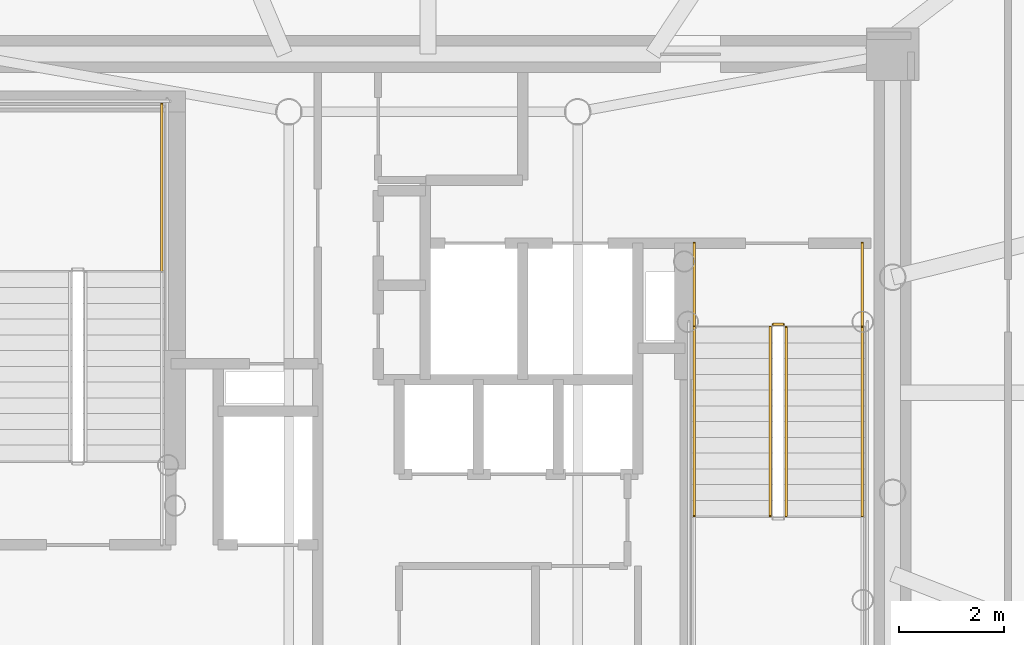
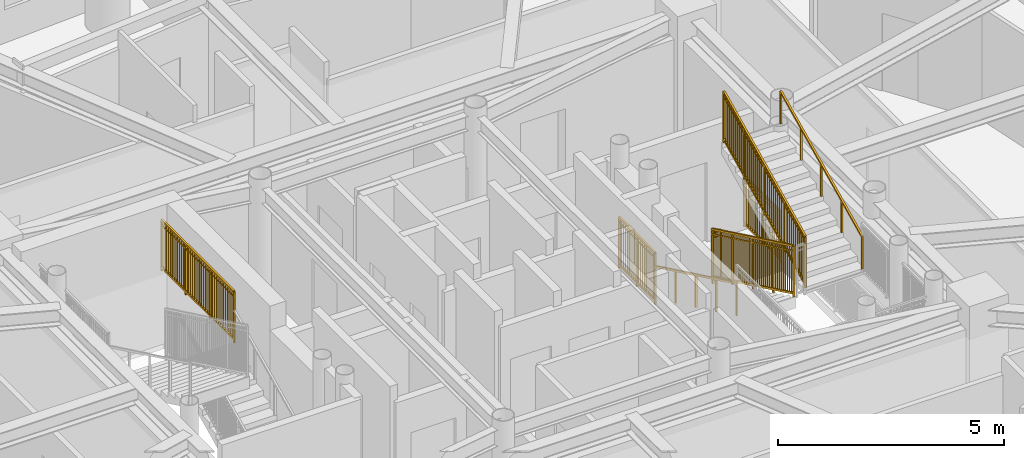
# One storey, part 16 of 17: 8 railings.
"""IFC4 building model written with IfcOpenShell, lengths in metres."""

from ifc_helpers import new_model, si_unit, direction, frame, origin, origin_2d, place, context, subcontext, project, spatial, rectangle, extrude, source, transform, mapped, material, type_object, element, save


model = new_model("IFC4")

# Units and contexts
model_context = context("Model", 3, precision=1e-05, world=origin(), true_north=direction((0.0, 1.0)))
body_context = subcontext(model_context, "Body", "Model", "MODEL_VIEW")
ifc_project = project(units=[si_unit("LENGTHUNIT", "METRE"), si_unit("AREAUNIT", "SQUARE_METRE"), si_unit("VOLUMEUNIT", "CUBIC_METRE"), si_unit("PLANEANGLEUNIT", "RADIAN"), si_unit("MASSUNIT", "GRAM", prefix="KILO")], contexts=[model_context])

# Site, building, storey
site_placement = place(None, origin())
site = spatial("IfcSite", under=ifc_project, at=site_placement, CompositionType="ELEMENT")
building_placement = place(site_placement, origin())
building = spatial("IfcBuilding", under=site, at=building_placement, Name="Linh Dai School and Residence Tower", CompositionType="ELEMENT")
storey_placement = place(building_placement, frame((0.0, 0.0, 310.5)))
storey = spatial("IfcBuildingStorey", under=building, at=storey_placement, Name="L77", CompositionType="ELEMENT", Elevation=310.5)

# Railings
ifc_material_1 = material(Name="Structural Steel S355JR", Category="steel")
railing_type_1 = type_object("IfcRailingType", Name="RL-ST-GUARD-1400", PredefinedType="GUARDRAIL", material=ifc_material_1)
shared_shape_1 = source(origin(), body_context, "Body", "SweptSolid", [
    extrude(rectangle(XDim=0.048095703125, YDim=0.048095703125, at=origin_2d()), frame((0.0, 0.0, 1.3759765625), z_axis=(0.0, 0.901262522062, 0.433273431364), x_axis=(-1.0, 0.0, 0.0)), (0.0, 0.0, 1.0), 3.994384765625),
    extrude(rectangle(XDim=0.048095703125, YDim=0.048095703125, at=origin_2d()), frame((0.0, 0.0, 0.10009765625), z_axis=(0.0, 0.901262522062, 0.433273431364), x_axis=(-1.0, 0.0, 0.0)), (0.0, 0.0, 1.0), 3.994384765625),
    extrude(rectangle(XDim=0.030029296875, YDim=0.030029296875, at=origin_2d()), frame((0.0, 0.0, 1.239990234375), z_axis=(0.0, 0.901262522062, 0.433273431364), x_axis=(-1.0, 0.0, 0.0)), (0.0, 0.0, 1.0), 3.994384765625),
    extrude(rectangle(XDim=0.02001953125, YDim=0.02001953125, at=origin_2d()), frame((0.0, 0.087890625, 0.142333984375)), (0.0, 0.0, 1.0), 1.251708984375),
    extrude(rectangle(XDim=0.02001953125, YDim=0.02001953125, at=origin_2d()), frame((0.0, 0.175537109375, 0.1845703125)), (0.0, 0.0, 1.0), 1.251708984375),
    extrude(rectangle(XDim=0.02001953125, YDim=0.02001953125, at=origin_2d()), frame((0.0, 0.263427734375, 0.226806640625)), (0.0, 0.0, 1.0), 1.251708984375),
    extrude(rectangle(XDim=0.02001953125, YDim=0.02001953125, at=origin_2d()), frame((0.0, 0.351318359375, 0.26904296875)), (0.0, 0.0, 1.0), 1.251708984375),
    extrude(rectangle(XDim=0.02001953125, YDim=0.02001953125, at=origin_2d()), frame((0.0, 0.43896484375, 0.311279296875)), (0.0, 0.0, 1.0), 1.251708984375),
    extrude(rectangle(XDim=0.02001953125, YDim=0.02001953125, at=origin_2d()), frame((0.0, 0.52685546875, 0.353271484375)), (0.0, 0.0, 1.0), 1.251708984375),
    extrude(rectangle(XDim=0.02001953125, YDim=0.02001953125, at=origin_2d()), frame((0.0, 0.61474609375, 0.3955078125)), (0.0, 0.0, 1.0), 1.251708984375),
    extrude(rectangle(XDim=0.02001953125, YDim=0.02001953125, at=origin_2d()), frame((0.0, 0.702392578125, 0.437744140625)), (0.0, 0.0, 1.0), 1.251708984375),
    extrude(rectangle(XDim=0.02001953125, YDim=0.02001953125, at=origin_2d()), frame((0.0, 0.790283203125, 0.47998046875)), (0.0, 0.0, 1.0), 1.251708984375),
    extrude(rectangle(XDim=0.02001953125, YDim=0.02001953125, at=origin_2d()), frame((0.0, 0.9658203125, 0.564453125)), (0.0, 0.0, 1.0), 1.251708984375),
    extrude(rectangle(XDim=0.02001953125, YDim=0.02001953125, at=origin_2d()), frame((0.0, 1.0537109375, 0.606689453125)), (0.0, 0.0, 1.0), 1.251708984375),
    extrude(rectangle(XDim=0.02001953125, YDim=0.02001953125, at=origin_2d()), frame((0.0, 1.1416015625, 0.64892578125)), (0.0, 0.0, 1.0), 1.251708984375),
    extrude(rectangle(XDim=0.02001953125, YDim=0.02001953125, at=origin_2d()), frame((0.0, 1.229248046875, 0.691162109375)), (0.0, 0.0, 1.0), 1.251708984375),
    extrude(rectangle(XDim=0.02001953125, YDim=0.02001953125, at=origin_2d()), frame((0.0, 1.317138671875, 0.7333984375)), (0.0, 0.0, 1.0), 1.251708984375),
    extrude(rectangle(XDim=0.02001953125, YDim=0.02001953125, at=origin_2d()), frame((0.0, 1.405029296875, 0.775390625)), (0.0, 0.0, 1.0), 1.251708984375),
    extrude(rectangle(XDim=0.02001953125, YDim=0.02001953125, at=origin_2d()), frame((0.0, 1.49267578125, 0.817626953125)), (0.0, 0.0, 1.0), 1.251708984375),
    extrude(rectangle(XDim=0.02001953125, YDim=0.02001953125, at=origin_2d()), frame((0.0, 1.58056640625, 0.85986328125)), (0.0, 0.0, 1.0), 1.251708984375),
    extrude(rectangle(XDim=0.02001953125, YDim=0.02001953125, at=origin_2d()), frame((0.0, 1.66845703125, 0.902099609375)), (0.0, 0.0, 1.0), 1.251708984375),
    extrude(rectangle(XDim=0.02001953125, YDim=0.02001953125, at=origin_2d()), frame((0.0, 1.756103515625, 0.9443359375)), (0.0, 0.0, 1.0), 1.251708984375),
    extrude(rectangle(XDim=0.02001953125, YDim=0.02001953125, at=origin_2d()), frame((0.0, 1.843994140625, 0.986572265625)), (0.0, 0.0, 1.0), 1.251708984375),
    extrude(rectangle(XDim=0.02001953125, YDim=0.02001953125, at=origin_2d()), frame((0.0, 1.931640625, 1.02880859375)), (0.0, 0.0, 1.0), 1.251708984375),
    extrude(rectangle(XDim=0.02001953125, YDim=0.02001953125, at=origin_2d()), frame((0.0, 2.01953125, 1.071044921875)), (0.0, 0.0, 1.0), 1.251708984375),
    extrude(rectangle(XDim=0.02001953125, YDim=0.02001953125, at=origin_2d()), frame((0.0, 2.107421875, 1.11328125)), (0.0, 0.0, 1.0), 1.251708984375),
    extrude(rectangle(XDim=0.02001953125, YDim=0.02001953125, at=origin_2d()), frame((0.0, 2.195068359375, 1.155517578125)), (0.0, 0.0, 1.0), 1.251708984375),
    extrude(rectangle(XDim=0.02001953125, YDim=0.02001953125, at=origin_2d()), frame((0.0, 2.282958984375, 1.197509765625)), (0.0, 0.0, 1.0), 1.251708984375),
    extrude(rectangle(XDim=0.02001953125, YDim=0.02001953125, at=origin_2d()), frame((0.0, 2.370849609375, 1.23974609375)), (0.0, 0.0, 1.0), 1.251708984375),
    extrude(rectangle(XDim=0.02001953125, YDim=0.02001953125, at=origin_2d()), frame((0.0, 2.45849609375, 1.281982421875)), (0.0, 0.0, 1.0), 1.251708984375),
    extrude(rectangle(XDim=0.02001953125, YDim=0.02001953125, at=origin_2d()), frame((0.0, 2.54638671875, 1.32421875)), (0.0, 0.0, 1.0), 1.251708984375),
    extrude(rectangle(XDim=0.02001953125, YDim=0.02001953125, at=origin_2d()), frame((0.0, 2.63427734375, 1.366455078125)), (0.0, 0.0, 1.0), 1.251708984375),
    extrude(rectangle(XDim=0.02001953125, YDim=0.02001953125, at=origin_2d()), frame((0.0, 2.809814453125, 1.450927734375)), (0.0, 0.0, 1.0), 1.251708984375),
    extrude(rectangle(XDim=0.02001953125, YDim=0.02001953125, at=origin_2d()), frame((0.0, 2.897705078125, 1.4931640625)), (0.0, 0.0, 1.0), 1.251708984375),
    extrude(rectangle(XDim=0.02001953125, YDim=0.02001953125, at=origin_2d()), frame((0.0, 2.9853515625, 1.535400390625)), (0.0, 0.0, 1.0), 1.251708984375),
    extrude(rectangle(XDim=0.02001953125, YDim=0.02001953125, at=origin_2d()), frame((0.0, 3.0732421875, 1.57763671875)), (0.0, 0.0, 1.0), 1.251708984375),
    extrude(rectangle(XDim=0.02001953125, YDim=0.02001953125, at=origin_2d()), frame((0.0, 3.1611328125, 1.61962890625)), (0.0, 0.0, 1.0), 1.251708984375),
    extrude(rectangle(XDim=0.02001953125, YDim=0.02001953125, at=origin_2d()), frame((0.0, 3.248779296875, 1.661865234375)), (0.0, 0.0, 1.0), 1.251708984375),
    extrude(rectangle(XDim=0.02001953125, YDim=0.02001953125, at=origin_2d()), frame((0.0, 3.336669921875, 1.7041015625)), (0.0, 0.0, 1.0), 1.251708984375),
    extrude(rectangle(XDim=0.02001953125, YDim=0.02001953125, at=origin_2d()), frame((0.0, 3.424560546875, 1.746337890625)), (0.0, 0.0, 1.0), 1.251708984375),
    extrude(rectangle(XDim=0.02001953125, YDim=0.02001953125, at=origin_2d()), frame((0.0, 3.51220703125, 1.78857421875)), (0.0, 0.0, 1.0), 1.251708984375),
    extrude(rectangle(XDim=0.0419921875, YDim=0.0419921875, at=origin_2d()), origin(), (0.0, 0.0, 1.0), 1.3759765625),
    extrude(rectangle(XDim=0.0419921875, YDim=0.0419921875, at=origin_2d()), frame((0.0, 0.89990234375, 0.4326171875)), (0.0, 0.0, 1.0), 1.3759765625),
    extrude(rectangle(XDim=0.0419921875, YDim=0.0419921875, at=origin_2d()), frame((0.0, 1.800048828125, 0.865234375)), (0.0, 0.0, 1.0), 1.3759765625),
    extrude(rectangle(XDim=0.0419921875, YDim=0.0419921875, at=origin_2d()), frame((0.0, 2.7001953125, 1.298095703125)), (0.0, 0.0, 1.0), 1.3759765625),
    extrude(rectangle(XDim=0.0419921875, YDim=0.0419921875, at=origin_2d()), frame((0.0, 3.60009765625, 1.730712890625)), (0.0, 0.0, 1.0), 1.3759765625),
])
railing_1_placement = place(storey_placement, frame((42.820068359375, 24.64990234375, 2.019287109375)))
element("IfcRailing", 1, at=railing_1_placement, inside=storey, type_object=railing_type_1, Name="L77 ST2 stair guard 6", PredefinedType="GUARDRAIL", context=body_context, shape_type="MappedRepresentation", body=[
    mapped(shared_shape_1, transform((0.0, 0.0, 0.0), x_axis=(1.0, 0.0, 0.0), y_axis=(0.0, 1.0, 0.0), z_axis=(0.0, 0.0, 1.0), scale=1.0)),
])
shared_shape_2 = source(origin(), body_context, "Body", "SweptSolid", [
    extrude(rectangle(XDim=0.048095703125, YDim=0.048095703125, at=origin_2d()), frame((0.0, 0.0, 1.3759765625), z_axis=(0.0, 1.0, 0.0), x_axis=(-1.0, 0.0, 0.0)), (0.0, 0.0, 1.0), 3.199951171875),
    extrude(rectangle(XDim=0.048095703125, YDim=0.048095703125, at=origin_2d()), frame((0.0, 0.0, 0.10009765625), z_axis=(0.0, 1.0, 0.0), x_axis=(-1.0, 0.0, 0.0)), (0.0, 0.0, 1.0), 3.199951171875),
    extrude(rectangle(XDim=0.030029296875, YDim=0.030029296875, at=origin_2d()), frame((0.0, 0.0, 1.239990234375), z_axis=(0.0, 1.0, 0.0), x_axis=(-1.0, 0.0, 0.0)), (0.0, 0.0, 1.0), 3.199951171875),
    extrude(rectangle(XDim=0.02001953125, YDim=0.02001953125, at=origin_2d()), frame((0.0, 0.096923828125, 0.10009765625)), (0.0, 0.0, 1.0), 1.251708984375),
    extrude(rectangle(XDim=0.02001953125, YDim=0.02001953125, at=origin_2d()), frame((0.0, 0.19384765625, 0.10009765625)), (0.0, 0.0, 1.0), 1.251708984375),
    extrude(rectangle(XDim=0.02001953125, YDim=0.02001953125, at=origin_2d()), frame((0.0, 0.291015625, 0.10009765625)), (0.0, 0.0, 1.0), 1.251708984375),
    extrude(rectangle(XDim=0.02001953125, YDim=0.02001953125, at=origin_2d()), frame((0.0, 0.387939453125, 0.10009765625)), (0.0, 0.0, 1.0), 1.251708984375),
    extrude(rectangle(XDim=0.02001953125, YDim=0.02001953125, at=origin_2d()), frame((0.0, 0.48486328125, 0.10009765625)), (0.0, 0.0, 1.0), 1.251708984375),
    extrude(rectangle(XDim=0.02001953125, YDim=0.02001953125, at=origin_2d()), frame((0.0, 0.581787109375, 0.10009765625)), (0.0, 0.0, 1.0), 1.251708984375),
    extrude(rectangle(XDim=0.02001953125, YDim=0.02001953125, at=origin_2d()), frame((0.0, 0.6787109375, 0.10009765625)), (0.0, 0.0, 1.0), 1.251708984375),
    extrude(rectangle(XDim=0.02001953125, YDim=0.02001953125, at=origin_2d()), frame((0.0, 0.775634765625, 0.10009765625)), (0.0, 0.0, 1.0), 1.251708984375),
    extrude(rectangle(XDim=0.02001953125, YDim=0.02001953125, at=origin_2d()), frame((0.0, 0.872802734375, 0.10009765625)), (0.0, 0.0, 1.0), 1.251708984375),
    extrude(rectangle(XDim=0.02001953125, YDim=0.02001953125, at=origin_2d()), frame((0.0, 0.9697265625, 0.10009765625)), (0.0, 0.0, 1.0), 1.251708984375),
    extrude(rectangle(XDim=0.02001953125, YDim=0.02001953125, at=origin_2d()), frame((0.0, 1.16357421875, 0.10009765625)), (0.0, 0.0, 1.0), 1.251708984375),
    extrude(rectangle(XDim=0.02001953125, YDim=0.02001953125, at=origin_2d()), frame((0.0, 1.260498046875, 0.10009765625)), (0.0, 0.0, 1.0), 1.251708984375),
    extrude(rectangle(XDim=0.02001953125, YDim=0.02001953125, at=origin_2d()), frame((0.0, 1.357666015625, 0.10009765625)), (0.0, 0.0, 1.0), 1.251708984375),
    extrude(rectangle(XDim=0.02001953125, YDim=0.02001953125, at=origin_2d()), frame((0.0, 1.45458984375, 0.10009765625)), (0.0, 0.0, 1.0), 1.251708984375),
    extrude(rectangle(XDim=0.02001953125, YDim=0.02001953125, at=origin_2d()), frame((0.0, 1.551513671875, 0.10009765625)), (0.0, 0.0, 1.0), 1.251708984375),
    extrude(rectangle(XDim=0.02001953125, YDim=0.02001953125, at=origin_2d()), frame((0.0, 1.6484375, 0.10009765625)), (0.0, 0.0, 1.0), 1.251708984375),
    extrude(rectangle(XDim=0.02001953125, YDim=0.02001953125, at=origin_2d()), frame((0.0, 1.745361328125, 0.10009765625)), (0.0, 0.0, 1.0), 1.251708984375),
    extrude(rectangle(XDim=0.02001953125, YDim=0.02001953125, at=origin_2d()), frame((0.0, 1.84228515625, 0.10009765625)), (0.0, 0.0, 1.0), 1.251708984375),
    extrude(rectangle(XDim=0.02001953125, YDim=0.02001953125, at=origin_2d()), frame((0.0, 1.939453125, 0.10009765625)), (0.0, 0.0, 1.0), 1.251708984375),
    extrude(rectangle(XDim=0.02001953125, YDim=0.02001953125, at=origin_2d()), frame((0.0, 2.036376953125, 0.10009765625)), (0.0, 0.0, 1.0), 1.251708984375),
    extrude(rectangle(XDim=0.02001953125, YDim=0.02001953125, at=origin_2d()), frame((0.0, 2.230224609375, 0.10009765625)), (0.0, 0.0, 1.0), 1.251708984375),
    extrude(rectangle(XDim=0.02001953125, YDim=0.02001953125, at=origin_2d()), frame((0.0, 2.3271484375, 0.10009765625)), (0.0, 0.0, 1.0), 1.251708984375),
    extrude(rectangle(XDim=0.02001953125, YDim=0.02001953125, at=origin_2d()), frame((0.0, 2.42431640625, 0.10009765625)), (0.0, 0.0, 1.0), 1.251708984375),
    extrude(rectangle(XDim=0.02001953125, YDim=0.02001953125, at=origin_2d()), frame((0.0, 2.521240234375, 0.10009765625)), (0.0, 0.0, 1.0), 1.251708984375),
    extrude(rectangle(XDim=0.02001953125, YDim=0.02001953125, at=origin_2d()), frame((0.0, 2.6181640625, 0.10009765625)), (0.0, 0.0, 1.0), 1.251708984375),
    extrude(rectangle(XDim=0.02001953125, YDim=0.02001953125, at=origin_2d()), frame((0.0, 2.715087890625, 0.10009765625)), (0.0, 0.0, 1.0), 1.251708984375),
    extrude(rectangle(XDim=0.02001953125, YDim=0.02001953125, at=origin_2d()), frame((0.0, 2.81201171875, 0.10009765625)), (0.0, 0.0, 1.0), 1.251708984375),
    extrude(rectangle(XDim=0.02001953125, YDim=0.02001953125, at=origin_2d()), frame((0.0, 2.908935546875, 0.10009765625)), (0.0, 0.0, 1.0), 1.251708984375),
    extrude(rectangle(XDim=0.02001953125, YDim=0.02001953125, at=origin_2d()), frame((0.0, 3.006103515625, 0.10009765625)), (0.0, 0.0, 1.0), 1.251708984375),
    extrude(rectangle(XDim=0.02001953125, YDim=0.02001953125, at=origin_2d()), frame((0.0, 3.10302734375, 0.10009765625)), (0.0, 0.0, 1.0), 1.251708984375),
    extrude(rectangle(XDim=0.0419921875, YDim=0.0419921875, at=origin_2d()), origin(), (0.0, 0.0, 1.0), 1.3759765625),
    extrude(rectangle(XDim=0.0419921875, YDim=0.0419921875, at=origin_2d()), frame((0.0, 1.066650390625, 0.0)), (0.0, 0.0, 1.0), 1.3759765625),
    extrude(rectangle(XDim=0.0419921875, YDim=0.0419921875, at=origin_2d()), frame((0.0, 2.13330078125, 0.0)), (0.0, 0.0, 1.0), 1.3759765625),
    extrude(rectangle(XDim=0.0419921875, YDim=0.0419921875, at=origin_2d()), frame((0.0, 3.199951171875, 0.0)), (0.0, 0.0, 1.0), 1.3759765625),
])
railing_2_placement = place(storey_placement, frame((30.929931640625, 29.300048828125, 1.875)))
element("IfcRailing", 2, at=railing_2_placement, inside=storey, type_object=railing_type_1, Name="L77 ST1 stair guard 3", PredefinedType="GUARDRAIL", context=body_context, shape_type="MappedRepresentation", body=[
    mapped(shared_shape_2, transform((0.0, 0.0, 0.0), x_axis=(1.0, 0.0, 0.0), y_axis=(0.0, 1.0, 0.0), z_axis=(0.0, 0.0, 1.0), scale=1.0)),
])
shared_shape_3 = source(origin(), body_context, "Body", "SweptSolid", [
    extrude(rectangle(XDim=0.048095703125, YDim=0.048095703125, at=origin_2d()), frame((0.0, 0.0, 1.3759765625), z_axis=(0.0, -0.901262522062, 0.433273431364), x_axis=(1.0, 0.0, 0.0)), (0.0, 0.0, 1.0), 3.994384765625),
    extrude(rectangle(XDim=0.048095703125, YDim=0.048095703125, at=origin_2d()), frame((0.0, 0.0, 0.10009765625), z_axis=(0.0, -0.901262522062, 0.433273431364), x_axis=(1.0, 0.0, 0.0)), (0.0, 0.0, 1.0), 3.994384765625),
    extrude(rectangle(XDim=0.030029296875, YDim=0.030029296875, at=origin_2d()), frame((0.0, 0.0, 1.239990234375), z_axis=(0.0, -0.901262522062, 0.433273431364), x_axis=(1.0, 0.0, 0.0)), (0.0, 0.0, 1.0), 3.994384765625),
    extrude(rectangle(XDim=0.02001953125, YDim=0.02001953125, at=origin_2d()), frame((0.0, -0.087890625, 0.142333984375)), (0.0, 0.0, 1.0), 1.251708984375),
    extrude(rectangle(XDim=0.02001953125, YDim=0.02001953125, at=origin_2d()), frame((0.0, -0.175537109375, 0.1845703125)), (0.0, 0.0, 1.0), 1.251708984375),
    extrude(rectangle(XDim=0.02001953125, YDim=0.02001953125, at=origin_2d()), frame((0.0, -0.263427734375, 0.226806640625)), (0.0, 0.0, 1.0), 1.251708984375),
    extrude(rectangle(XDim=0.02001953125, YDim=0.02001953125, at=origin_2d()), frame((0.0, -0.351318359375, 0.26904296875)), (0.0, 0.0, 1.0), 1.251708984375),
    extrude(rectangle(XDim=0.02001953125, YDim=0.02001953125, at=origin_2d()), frame((0.0, -0.43896484375, 0.311279296875)), (0.0, 0.0, 1.0), 1.251708984375),
    extrude(rectangle(XDim=0.02001953125, YDim=0.02001953125, at=origin_2d()), frame((0.0, -0.52685546875, 0.353271484375)), (0.0, 0.0, 1.0), 1.251708984375),
    extrude(rectangle(XDim=0.02001953125, YDim=0.02001953125, at=origin_2d()), frame((0.0, -0.61474609375, 0.3955078125)), (0.0, 0.0, 1.0), 1.251708984375),
    extrude(rectangle(XDim=0.02001953125, YDim=0.02001953125, at=origin_2d()), frame((0.0, -0.702392578125, 0.437744140625)), (0.0, 0.0, 1.0), 1.251708984375),
    extrude(rectangle(XDim=0.02001953125, YDim=0.02001953125, at=origin_2d()), frame((0.0, -0.790283203125, 0.47998046875)), (0.0, 0.0, 1.0), 1.251708984375),
    extrude(rectangle(XDim=0.02001953125, YDim=0.02001953125, at=origin_2d()), frame((0.0, -0.9658203125, 0.564453125)), (0.0, 0.0, 1.0), 1.251708984375),
    extrude(rectangle(XDim=0.02001953125, YDim=0.02001953125, at=origin_2d()), frame((0.0, -1.0537109375, 0.606689453125)), (0.0, 0.0, 1.0), 1.251708984375),
    extrude(rectangle(XDim=0.02001953125, YDim=0.02001953125, at=origin_2d()), frame((0.0, -1.1416015625, 0.64892578125)), (0.0, 0.0, 1.0), 1.251708984375),
    extrude(rectangle(XDim=0.02001953125, YDim=0.02001953125, at=origin_2d()), frame((0.0, -1.229248046875, 0.691162109375)), (0.0, 0.0, 1.0), 1.251708984375),
    extrude(rectangle(XDim=0.02001953125, YDim=0.02001953125, at=origin_2d()), frame((0.0, -1.317138671875, 0.7333984375)), (0.0, 0.0, 1.0), 1.251708984375),
    extrude(rectangle(XDim=0.02001953125, YDim=0.02001953125, at=origin_2d()), frame((0.0, -1.405029296875, 0.775390625)), (0.0, 0.0, 1.0), 1.251708984375),
    extrude(rectangle(XDim=0.02001953125, YDim=0.02001953125, at=origin_2d()), frame((0.0, -1.49267578125, 0.817626953125)), (0.0, 0.0, 1.0), 1.251708984375),
    extrude(rectangle(XDim=0.02001953125, YDim=0.02001953125, at=origin_2d()), frame((0.0, -1.58056640625, 0.85986328125)), (0.0, 0.0, 1.0), 1.251708984375),
    extrude(rectangle(XDim=0.02001953125, YDim=0.02001953125, at=origin_2d()), frame((0.0, -1.66845703125, 0.902099609375)), (0.0, 0.0, 1.0), 1.251708984375),
    extrude(rectangle(XDim=0.02001953125, YDim=0.02001953125, at=origin_2d()), frame((0.0, -1.756103515625, 0.9443359375)), (0.0, 0.0, 1.0), 1.251708984375),
    extrude(rectangle(XDim=0.02001953125, YDim=0.02001953125, at=origin_2d()), frame((0.0, -1.843994140625, 0.986572265625)), (0.0, 0.0, 1.0), 1.251708984375),
    extrude(rectangle(XDim=0.02001953125, YDim=0.02001953125, at=origin_2d()), frame((0.0, -1.931640625, 1.02880859375)), (0.0, 0.0, 1.0), 1.251708984375),
    extrude(rectangle(XDim=0.02001953125, YDim=0.02001953125, at=origin_2d()), frame((0.0, -2.01953125, 1.071044921875)), (0.0, 0.0, 1.0), 1.251708984375),
    extrude(rectangle(XDim=0.02001953125, YDim=0.02001953125, at=origin_2d()), frame((0.0, -2.107421875, 1.11328125)), (0.0, 0.0, 1.0), 1.251708984375),
    extrude(rectangle(XDim=0.02001953125, YDim=0.02001953125, at=origin_2d()), frame((0.0, -2.195068359375, 1.155517578125)), (0.0, 0.0, 1.0), 1.251708984375),
    extrude(rectangle(XDim=0.02001953125, YDim=0.02001953125, at=origin_2d()), frame((0.0, -2.282958984375, 1.197509765625)), (0.0, 0.0, 1.0), 1.251708984375),
    extrude(rectangle(XDim=0.02001953125, YDim=0.02001953125, at=origin_2d()), frame((0.0, -2.370849609375, 1.23974609375)), (0.0, 0.0, 1.0), 1.251708984375),
    extrude(rectangle(XDim=0.02001953125, YDim=0.02001953125, at=origin_2d()), frame((0.0, -2.45849609375, 1.281982421875)), (0.0, 0.0, 1.0), 1.251708984375),
    extrude(rectangle(XDim=0.02001953125, YDim=0.02001953125, at=origin_2d()), frame((0.0, -2.54638671875, 1.32421875)), (0.0, 0.0, 1.0), 1.251708984375),
    extrude(rectangle(XDim=0.02001953125, YDim=0.02001953125, at=origin_2d()), frame((0.0, -2.63427734375, 1.366455078125)), (0.0, 0.0, 1.0), 1.251708984375),
    extrude(rectangle(XDim=0.02001953125, YDim=0.02001953125, at=origin_2d()), frame((0.0, -2.809814453125, 1.450927734375)), (0.0, 0.0, 1.0), 1.251708984375),
    extrude(rectangle(XDim=0.02001953125, YDim=0.02001953125, at=origin_2d()), frame((0.0, -2.897705078125, 1.4931640625)), (0.0, 0.0, 1.0), 1.251708984375),
    extrude(rectangle(XDim=0.02001953125, YDim=0.02001953125, at=origin_2d()), frame((0.0, -2.9853515625, 1.535400390625)), (0.0, 0.0, 1.0), 1.251708984375),
    extrude(rectangle(XDim=0.02001953125, YDim=0.02001953125, at=origin_2d()), frame((0.0, -3.0732421875, 1.57763671875)), (0.0, 0.0, 1.0), 1.251708984375),
    extrude(rectangle(XDim=0.02001953125, YDim=0.02001953125, at=origin_2d()), frame((0.0, -3.1611328125, 1.61962890625)), (0.0, 0.0, 1.0), 1.251708984375),
    extrude(rectangle(XDim=0.02001953125, YDim=0.02001953125, at=origin_2d()), frame((0.0, -3.248779296875, 1.661865234375)), (0.0, 0.0, 1.0), 1.251708984375),
    extrude(rectangle(XDim=0.02001953125, YDim=0.02001953125, at=origin_2d()), frame((0.0, -3.336669921875, 1.7041015625)), (0.0, 0.0, 1.0), 1.251708984375),
    extrude(rectangle(XDim=0.02001953125, YDim=0.02001953125, at=origin_2d()), frame((0.0, -3.424560546875, 1.746337890625)), (0.0, 0.0, 1.0), 1.251708984375),
    extrude(rectangle(XDim=0.02001953125, YDim=0.02001953125, at=origin_2d()), frame((0.0, -3.51220703125, 1.78857421875)), (0.0, 0.0, 1.0), 1.251708984375),
    extrude(rectangle(XDim=0.0419921875, YDim=0.0419921875, at=origin_2d()), origin(), (0.0, 0.0, 1.0), 1.3759765625),
    extrude(rectangle(XDim=0.0419921875, YDim=0.0419921875, at=origin_2d()), frame((0.0, -0.89990234375, 0.4326171875)), (0.0, 0.0, 1.0), 1.3759765625),
    extrude(rectangle(XDim=0.0419921875, YDim=0.0419921875, at=origin_2d()), frame((0.0, -1.800048828125, 0.865234375)), (0.0, 0.0, 1.0), 1.3759765625),
    extrude(rectangle(XDim=0.0419921875, YDim=0.0419921875, at=origin_2d()), frame((0.0, -2.7001953125, 1.298095703125)), (0.0, 0.0, 1.0), 1.3759765625),
    extrude(rectangle(XDim=0.0419921875, YDim=0.0419921875, at=origin_2d()), frame((0.0, -3.60009765625, 1.730712890625)), (0.0, 0.0, 1.0), 1.3759765625),
])
railing_3_placement = place(storey_placement, frame((42.52001953125, 28.25, 0.144287109375)))
element("IfcRailing", 3, at=railing_3_placement, inside=storey, type_object=railing_type_1, Name="L77 ST2 stair guard 1", PredefinedType="GUARDRAIL", context=body_context, shape_type="MappedRepresentation", body=[
    mapped(shared_shape_3, transform((0.0, 0.0, 0.0), x_axis=(1.0, 0.0, 0.0), y_axis=(0.0, 1.0, 0.0), z_axis=(0.0, 0.0, 1.0), scale=1.0)),
])
ifc_material_2 = material(Name="Brushed Stainless Steel Handrail", Category="steel")
railing_type_2 = type_object("IfcRailingType", Name="RL-ST-HANDRAIL-900", PredefinedType="HANDRAIL", material=ifc_material_2)
shared_shape_4 = source(origin(), body_context, "Body", "SweptSolid", [
    extrude(rectangle(XDim=0.048095703125, YDim=0.048095703125, at=origin_2d()), frame((0.0, 0.0, 0.8759765625), z_axis=(0.0, 0.901262522062, 0.433273431364), x_axis=(-1.0, 0.0, 0.0)), (0.0, 0.0, 1.0), 3.994384765625),
    extrude(rectangle(XDim=0.0419921875, YDim=0.0419921875, at=origin_2d()), origin(), (0.0, 0.0, 1.0), 0.8759765625),
    extrude(rectangle(XDim=0.0419921875, YDim=0.0419921875, at=origin_2d()), frame((0.0, 0.89990234375, 0.4326171875)), (0.0, 0.0, 1.0), 0.8759765625),
    extrude(rectangle(XDim=0.0419921875, YDim=0.0419921875, at=origin_2d()), frame((0.0, 1.800048828125, 0.865234375)), (0.0, 0.0, 1.0), 0.8759765625),
    extrude(rectangle(XDim=0.0419921875, YDim=0.0419921875, at=origin_2d()), frame((0.0, 2.7001953125, 1.298095703125)), (0.0, 0.0, 1.0), 0.8759765625),
    extrude(rectangle(XDim=0.0419921875, YDim=0.0419921875, at=origin_2d()), frame((0.0, 3.60009765625, 1.730712890625)), (0.0, 0.0, 1.0), 0.8759765625),
])
railing_4_placement = place(storey_placement, frame((44.27001953125, 24.64990234375, 2.019287109375)))
element("IfcRailing", 4, at=railing_4_placement, inside=storey, type_object=railing_type_2, Name="L77 ST2 stair handrail 2", PredefinedType="HANDRAIL", context=body_context, shape_type="MappedRepresentation", body=[
    mapped(shared_shape_4, transform((0.0, 0.0, 0.0), x_axis=(1.0, 0.0, 0.0), y_axis=(0.0, 1.0, 0.0), z_axis=(0.0, 0.0, 1.0), scale=1.0)),
])
shared_shape_5 = source(origin(), body_context, "Body", "SweptSolid", [
    extrude(rectangle(XDim=0.048095703125, YDim=0.048095703125, at=origin_2d()), frame((0.0, 0.0, 0.8759765625), z_axis=(0.0, -0.901262522062, 0.433273431364), x_axis=(1.0, 0.0, 0.0)), (0.0, 0.0, 1.0), 3.994384765625),
    extrude(rectangle(XDim=0.0419921875, YDim=0.0419921875, at=origin_2d()), origin(), (0.0, 0.0, 1.0), 0.8759765625),
    extrude(rectangle(XDim=0.0419921875, YDim=0.0419921875, at=origin_2d()), frame((0.0, -0.89990234375, 0.4326171875)), (0.0, 0.0, 1.0), 0.8759765625),
    extrude(rectangle(XDim=0.0419921875, YDim=0.0419921875, at=origin_2d()), frame((0.0, -1.800048828125, 0.865234375)), (0.0, 0.0, 1.0), 0.8759765625),
    extrude(rectangle(XDim=0.0419921875, YDim=0.0419921875, at=origin_2d()), frame((0.0, -2.7001953125, 1.298095703125)), (0.0, 0.0, 1.0), 0.8759765625),
    extrude(rectangle(XDim=0.0419921875, YDim=0.0419921875, at=origin_2d()), frame((0.0, -3.60009765625, 1.730712890625)), (0.0, 0.0, 1.0), 0.8759765625),
])
railing_5_placement = place(storey_placement, frame((41.070068359375, 28.25, 0.144287109375)))
element("IfcRailing", 5, at=railing_5_placement, inside=storey, type_object=railing_type_2, Name="L77 ST2 stair handrail 1", PredefinedType="HANDRAIL", context=body_context, shape_type="MappedRepresentation", body=[
    mapped(shared_shape_5, transform((0.0, 0.0, 0.0), x_axis=(1.0, 0.0, 0.0), y_axis=(0.0, 1.0, 0.0), z_axis=(0.0, 0.0, 1.0), scale=1.0)),
])
shared_shape_6 = source(origin(), body_context, "Body", "SweptSolid", [
    extrude(rectangle(XDim=0.048095703125, YDim=0.048095703125, at=origin_2d()), frame((0.0, 0.0, 1.3759765625), z_axis=(1.0, 0.0, 0.0), x_axis=(0.0, 1.0, 0.0)), (0.0, 0.0, 1.0), 0.199951171875),
    extrude(rectangle(XDim=0.048095703125, YDim=0.048095703125, at=origin_2d()), frame((0.0, 0.0, 0.10009765625), z_axis=(1.0, 0.0, 0.0), x_axis=(0.0, 1.0, 0.0)), (0.0, 0.0, 1.0), 0.199951171875),
    extrude(rectangle(XDim=0.030029296875, YDim=0.030029296875, at=origin_2d()), frame((0.0, 0.0, 1.239990234375), z_axis=(1.0, 0.0, 0.0), x_axis=(0.0, 1.0, 0.0)), (0.0, 0.0, 1.0), 0.199951171875),
    extrude(rectangle(XDim=0.0419921875, YDim=0.0419921875, at=origin_2d()), origin(), (0.0, 0.0, 1.0), 1.3759765625),
    extrude(rectangle(XDim=0.0419921875, YDim=0.0419921875, at=origin_2d()), frame((0.199951171875, 0.0, 0.0)), (0.0, 0.0, 1.0), 1.3759765625),
])
railing_6_placement = place(storey_placement, frame((42.570068359375, 28.300048828125, 0.0)))
element("IfcRailing", 6, at=railing_6_placement, inside=storey, type_object=railing_type_1, Name="L77 ST2 stair guard 7", PredefinedType="GUARDRAIL", context=body_context, shape_type="MappedRepresentation", body=[
    mapped(shared_shape_6, transform((0.0, 0.0, 0.0), x_axis=(1.0, 0.0, 0.0), y_axis=(0.0, 1.0, 0.0), z_axis=(0.0, 0.0, 1.0), scale=1.0)),
])
shared_shape_7 = source(origin(), body_context, "Body", "SweptSolid", [
    extrude(rectangle(XDim=0.048095703125, YDim=0.048095703125, at=origin_2d()), frame((0.0, 0.0, 1.3759765625), z_axis=(0.0, -1.0, 0.0), x_axis=(1.0, 0.0, 0.0)), (0.0, 0.0, 1.0), 1.60009765625),
    extrude(rectangle(XDim=0.048095703125, YDim=0.048095703125, at=origin_2d()), frame((0.0, 0.0, 0.10009765625), z_axis=(0.0, -1.0, 0.0), x_axis=(1.0, 0.0, 0.0)), (0.0, 0.0, 1.0), 1.60009765625),
    extrude(rectangle(XDim=0.030029296875, YDim=0.030029296875, at=origin_2d()), frame((0.0, 0.0, 1.239990234375), z_axis=(0.0, -1.0, 0.0), x_axis=(1.0, 0.0, 0.0)), (0.0, 0.0, 1.0), 1.60009765625),
    extrude(rectangle(XDim=0.02001953125, YDim=0.02001953125, at=origin_2d()), frame((0.0, -0.09423828125, 0.10009765625)), (0.0, 0.0, 1.0), 1.251708984375),
    extrude(rectangle(XDim=0.02001953125, YDim=0.02001953125, at=origin_2d()), frame((0.0, -0.188232421875, 0.10009765625)), (0.0, 0.0, 1.0), 1.251708984375),
    extrude(rectangle(XDim=0.02001953125, YDim=0.02001953125, at=origin_2d()), frame((0.0, -0.282470703125, 0.10009765625)), (0.0, 0.0, 1.0), 1.251708984375),
    extrude(rectangle(XDim=0.02001953125, YDim=0.02001953125, at=origin_2d()), frame((0.0, -0.37646484375, 0.10009765625)), (0.0, 0.0, 1.0), 1.251708984375),
    extrude(rectangle(XDim=0.02001953125, YDim=0.02001953125, at=origin_2d()), frame((0.0, -0.470703125, 0.10009765625)), (0.0, 0.0, 1.0), 1.251708984375),
    extrude(rectangle(XDim=0.02001953125, YDim=0.02001953125, at=origin_2d()), frame((0.0, -0.564697265625, 0.10009765625)), (0.0, 0.0, 1.0), 1.251708984375),
    extrude(rectangle(XDim=0.02001953125, YDim=0.02001953125, at=origin_2d()), frame((0.0, -0.658935546875, 0.10009765625)), (0.0, 0.0, 1.0), 1.251708984375),
    extrude(rectangle(XDim=0.02001953125, YDim=0.02001953125, at=origin_2d()), frame((0.0, -0.7529296875, 0.10009765625)), (0.0, 0.0, 1.0), 1.251708984375),
    extrude(rectangle(XDim=0.02001953125, YDim=0.02001953125, at=origin_2d()), frame((0.0, -0.84716796875, 0.10009765625)), (0.0, 0.0, 1.0), 1.251708984375),
    extrude(rectangle(XDim=0.02001953125, YDim=0.02001953125, at=origin_2d()), frame((0.0, -0.941162109375, 0.10009765625)), (0.0, 0.0, 1.0), 1.251708984375),
    extrude(rectangle(XDim=0.02001953125, YDim=0.02001953125, at=origin_2d()), frame((0.0, -1.035400390625, 0.10009765625)), (0.0, 0.0, 1.0), 1.251708984375),
    extrude(rectangle(XDim=0.02001953125, YDim=0.02001953125, at=origin_2d()), frame((0.0, -1.12939453125, 0.10009765625)), (0.0, 0.0, 1.0), 1.251708984375),
    extrude(rectangle(XDim=0.02001953125, YDim=0.02001953125, at=origin_2d()), frame((0.0, -1.2236328125, 0.10009765625)), (0.0, 0.0, 1.0), 1.251708984375),
    extrude(rectangle(XDim=0.02001953125, YDim=0.02001953125, at=origin_2d()), frame((0.0, -1.317626953125, 0.10009765625)), (0.0, 0.0, 1.0), 1.251708984375),
    extrude(rectangle(XDim=0.02001953125, YDim=0.02001953125, at=origin_2d()), frame((0.0, -1.411865234375, 0.10009765625)), (0.0, 0.0, 1.0), 1.251708984375),
    extrude(rectangle(XDim=0.02001953125, YDim=0.02001953125, at=origin_2d()), frame((0.0, -1.505859375, 0.10009765625)), (0.0, 0.0, 1.0), 1.251708984375),
    extrude(rectangle(XDim=0.0419921875, YDim=0.0419921875, at=origin_2d()), origin(), (0.0, 0.0, 1.0), 1.3759765625),
    extrude(rectangle(XDim=0.0419921875, YDim=0.0419921875, at=origin_2d()), frame((0.0, -0.800048828125, 0.0)), (0.0, 0.0, 1.0), 1.3759765625),
    extrude(rectangle(XDim=0.0419921875, YDim=0.0419921875, at=origin_2d()), frame((0.0, -1.60009765625, 0.0)), (0.0, 0.0, 1.0), 1.3759765625),
])
for number, where, name in (
    (7, (41.070068359375, 29.85009765625, 0.0), "L77 ST2 stair guard 8"),
    (8, (44.27001953125, 29.85009765625, 0.0), "L77 ST2 stair guard 9"),
):
    element("IfcRailing", number, at=place(storey_placement, frame(where)), inside=storey, type_object=railing_type_1, Name=name, PredefinedType="GUARDRAIL", context=body_context, shape_type="MappedRepresentation", body=[
        mapped(shared_shape_7, transform((0.0, 0.0, 0.0), x_axis=(1.0, 0.0, 0.0), y_axis=(0.0, 1.0, 0.0), z_axis=(0.0, 0.0, 1.0), scale=1.0)),
    ])

save(model, "model.ifc")
